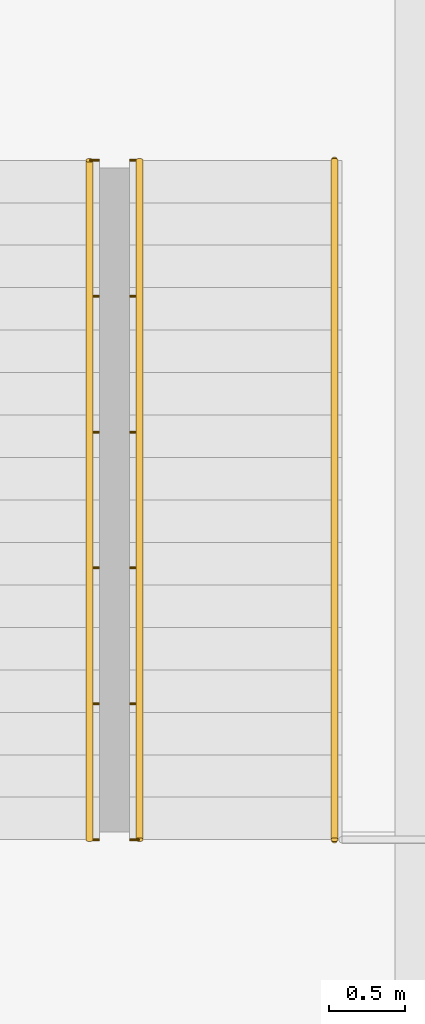
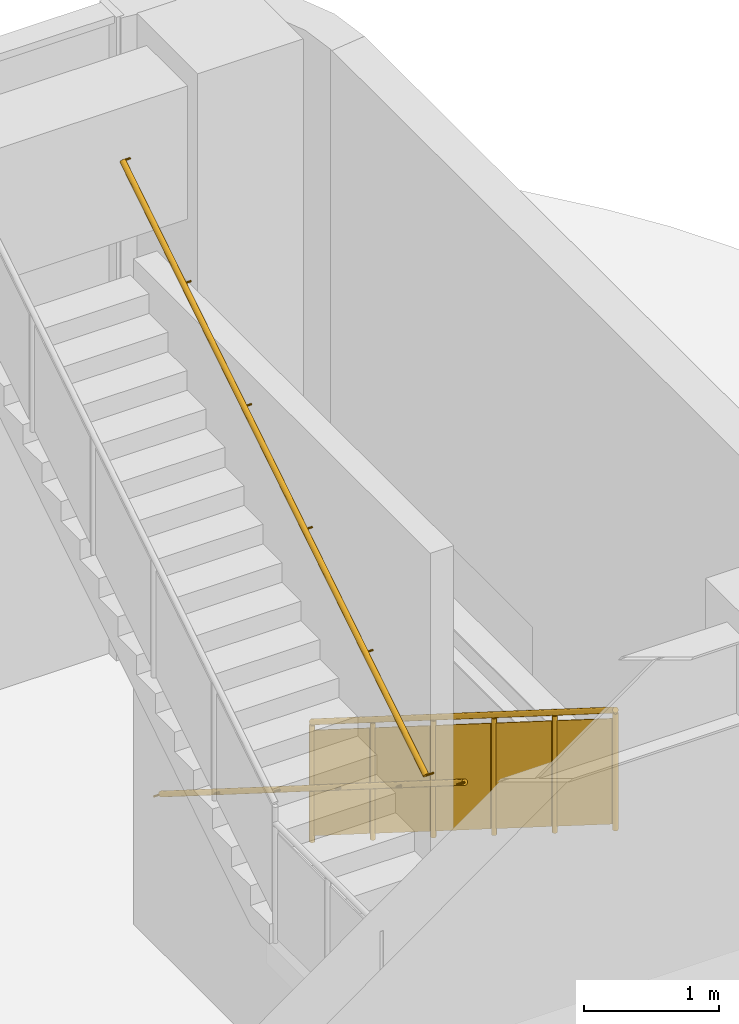
# One storey, part 21 of 21: 3 railings.
"""IFC4 building model written with IfcOpenShell, lengths in metres."""

from ifc_helpers import new_model, si_unit, direction, frame, origin, origin_2d, place, context, subcontext, project, spatial, polyline, circle, outline, extrude, material, type_object, element, save


model = new_model("IFC4")

# Units and contexts
model_context = context("Model", 3, precision=1e-05, world=origin(), true_north=direction((0.0, 1.0)))
body_context = subcontext(model_context, "Body", "Model", "MODEL_VIEW")
ifc_project = project(units=[si_unit("LENGTHUNIT", "METRE"), si_unit("AREAUNIT", "SQUARE_METRE"), si_unit("VOLUMEUNIT", "CUBIC_METRE"), si_unit("PLANEANGLEUNIT", "RADIAN"), si_unit("MASSUNIT", "GRAM", prefix="KILO")], contexts=[model_context])

# Site, building, storey
site_placement = place(None, origin())
site = spatial("IfcSite", under=ifc_project, at=site_placement, CompositionType="ELEMENT")
building_placement = place(site_placement, origin())
building = spatial("IfcBuilding", under=site, at=building_placement, Name="Torre Alcanfor", CompositionType="ELEMENT")
storey_placement = place(building_placement, origin())
storey = spatial("IfcBuildingStorey", under=building, at=storey_placement, Name="L00", CompositionType="ELEMENT", Elevation=0.0)

# Railings
ifc_material_1 = material(Name="Steel ASTM A500 Grade C hollow sections", Category="steel")
railing_type_1 = type_object("IfcRailingType", Name="Stair guard and handrail 1100", PredefinedType="GUARDRAIL", material=ifc_material_1)
railing_1_placement = place(storey_placement, frame((58.300048828125, 56.574951171875, 0.176513671875)))
element("IfcRailing", 1, at=railing_1_placement, inside=storey, type_object=railing_type_1, Name="Stair guard SS4 L00 flight 1", PredefinedType="GUARDRAIL", context=body_context, shape_type="SweptSolid", body=[
    extrude(circle(Radius=0.02392578125, at=origin_2d()), frame((0.0, 0.0, 1.076171875), z_axis=(0.0, -0.845997938375, 0.533186166611), x_axis=(1.0, 0.0, 0.0)), (0.0, 0.0, 1.0), 5.29541015625),
    extrude(circle(Radius=0.02099609375, at=origin_2d()), origin(), (0.0, 0.0, 1.0), 1.052001953125),
    extrude(circle(Radius=0.02099609375, at=origin_2d()), frame((0.0, -0.89599609375, 0.564697265625)), (0.0, 0.0, 1.0), 1.052001953125),
    extrude(circle(Radius=0.02099609375, at=origin_2d()), frame((0.0, -1.7919921875, 1.12939453125)), (0.0, 0.0, 1.0), 1.052001953125),
    extrude(circle(Radius=0.02099609375, at=origin_2d()), frame((0.0, -2.68798828125, 1.694091796875)), (0.0, 0.0, 1.0), 1.052001953125),
    extrude(circle(Radius=0.02099609375, at=origin_2d()), frame((0.0, -3.583984375, 2.2587890625)), (0.0, 0.0, 1.0), 1.052001953125),
    extrude(circle(Radius=0.02099609375, at=origin_2d()), frame((0.0, -4.47998046875, 2.823486328125)), (0.0, 0.0, 1.0), 1.052001953125),
    extrude(outline(polyline([(0.041015625, 0.075927734375), (0.85498046875, 0.5888671875), (0.85498046875, 1.540771484375), (0.041015625, 1.02783203125), (0.041015625, 0.075927734375)])), frame((0.005859375, 0.0, 0.0), z_axis=(-1.0, 0.0, 0.0), x_axis=(0.0, -1.0, 0.0)), (0.0, 0.0, 1.0), 0.011962890625),
    extrude(outline(polyline([(0.93701171875, 0.640625), (1.7509765625, 1.153564453125), (1.7509765625, 2.10546875), (0.93701171875, 1.592529296875), (0.93701171875, 0.640625)])), frame((0.005859375, 0.0, 0.0), z_axis=(-1.0, 0.0, 0.0), x_axis=(0.0, -1.0, 0.0)), (0.0, 0.0, 1.0), 0.011962890625),
    extrude(outline(polyline([(1.8330078125, 1.205322265625), (2.64697265625, 1.71826171875), (2.64697265625, 2.670166015625), (1.8330078125, 2.1572265625), (1.8330078125, 1.205322265625)])), frame((0.005859375, 0.0, 0.0), z_axis=(-1.0, 0.0, 0.0), x_axis=(0.0, -1.0, 0.0)), (0.0, 0.0, 1.0), 0.011962890625),
    extrude(outline(polyline([(2.72900390625, 1.77001953125), (3.54296875, 2.282958984375), (3.54296875, 3.23486328125), (2.72900390625, 2.721923828125), (2.72900390625, 1.77001953125)])), frame((0.005859375, 0.0, 0.0), z_axis=(-1.0, 0.0, 0.0), x_axis=(0.0, -1.0, 0.0)), (0.0, 0.0, 1.0), 0.011962890625),
    extrude(outline(polyline([(3.625, 2.334716796875), (4.43896484375, 2.84765625), (4.43896484375, 3.799560546875), (3.625, 3.28662109375), (3.625, 2.334716796875)])), frame((0.005859375, 0.0, 0.0), z_axis=(-1.0, 0.0, 0.0), x_axis=(0.0, -1.0, 0.0)), (0.0, 0.0, 1.0), 0.011962890625),
])
ifc_material_2 = material(Name="Steel ASTM A500 Grade C hollow sections", Category="steel")
railing_type_2 = type_object("IfcRailingType", Name="Stair wall handrail 900", PredefinedType="HANDRAIL", material=ifc_material_2)
railing_2_placement = place(storey_placement, frame((57.014892578125, 56.574951171875, 0.176513671875)))
element("IfcRailing", 2, at=railing_2_placement, inside=storey, type_object=railing_type_2, Name="Stair handrail SS4 L00 flight 1", PredefinedType="HANDRAIL", context=body_context, shape_type="SweptSolid", body=[
    extrude(circle(Radius=0.02392578125, at=origin_2d()), frame((0.0, 0.0, 0.8759765625), z_axis=(0.0, -0.845997938375, 0.533186166611), x_axis=(1.0, 0.0, 0.0)), (0.0, 0.0, 1.0), 5.29541015625),
    extrude(circle(Radius=0.008056640625, at=origin_2d()), frame((0.0, 0.0, 0.8759765625), z_axis=(-1.0, 0.0, 0.0), x_axis=(0.0, 0.0, 1.0)), (0.0, 0.0, 1.0), 0.06494140625),
    extrude(circle(Radius=0.008056640625, at=origin_2d()), frame((0.0, -0.89599609375, 1.4404296875), z_axis=(-1.0, 0.0, 0.0), x_axis=(0.0, 0.0, 1.0)), (0.0, 0.0, 1.0), 0.06494140625),
    extrude(circle(Radius=0.008056640625, at=origin_2d()), frame((0.0, -1.7919921875, 2.00537109375), z_axis=(-1.0, 0.0, 0.0), x_axis=(0.0, 0.0, 1.0)), (0.0, 0.0, 1.0), 0.06494140625),
    extrude(circle(Radius=0.008056640625, at=origin_2d()), frame((0.0, -2.68798828125, 2.56982421875), z_axis=(-1.0, 0.0, 0.0), x_axis=(0.0, 0.0, 1.0)), (0.0, 0.0, 1.0), 0.06494140625),
    extrude(circle(Radius=0.008056640625, at=origin_2d()), frame((0.0, -3.583984375, 3.134765625), z_axis=(-1.0, 0.0, 0.0), x_axis=(0.0, 0.0, 1.0)), (0.0, 0.0, 1.0), 0.06494140625),
    extrude(circle(Radius=0.008056640625, at=origin_2d()), frame((0.0, -4.47998046875, 3.69921875), z_axis=(-1.0, 0.0, 0.0), x_axis=(0.0, 0.0, 1.0)), (0.0, 0.0, 1.0), 0.06494140625),
])
railing_3_placement = place(storey_placement, frame((56.68505859375, 52.094970703125, 3.176513671875)))
element("IfcRailing", 3, at=railing_3_placement, inside=storey, type_object=railing_type_2, Name="Stair handrail SS4 L00 flight 2", PredefinedType="HANDRAIL", context=body_context, shape_type="SweptSolid", body=[
    extrude(circle(Radius=0.02392578125, at=origin_2d()), frame((0.0, 0.0, 0.8759765625), z_axis=(0.0, 0.845997938375, 0.533186166611), x_axis=(-1.0, 0.0, 0.0)), (0.0, 0.0, 1.0), 5.29541015625),
    extrude(circle(Radius=0.008056640625, at=origin_2d()), frame((0.0, 0.0, 0.8759765625), z_axis=(1.0, 0.0, 0.0), x_axis=(0.0, 0.0, 1.0)), (0.0, 0.0, 1.0), 0.06494140625),
    extrude(circle(Radius=0.008056640625, at=origin_2d()), frame((0.0, 0.89599609375, 1.4404296875), z_axis=(1.0, 0.0, 0.0), x_axis=(0.0, 0.0, 1.0)), (0.0, 0.0, 1.0), 0.06494140625),
    extrude(circle(Radius=0.008056640625, at=origin_2d()), frame((0.0, 1.7919921875, 2.00537109375), z_axis=(1.0, 0.0, 0.0), x_axis=(0.0, 0.0, 1.0)), (0.0, 0.0, 1.0), 0.06494140625),
    extrude(circle(Radius=0.008056640625, at=origin_2d()), frame((0.0, 2.68798828125, 2.56982421875), z_axis=(1.0, 0.0, 0.0), x_axis=(0.0, 0.0, 1.0)), (0.0, 0.0, 1.0), 0.06494140625),
    extrude(circle(Radius=0.008056640625, at=origin_2d()), frame((0.0, 3.583984375, 3.134765625), z_axis=(1.0, 0.0, 0.0), x_axis=(0.0, 0.0, 1.0)), (0.0, 0.0, 1.0), 0.06494140625),
    extrude(circle(Radius=0.008056640625, at=origin_2d()), frame((0.0, 4.47998046875, 3.69921875), z_axis=(1.0, 0.0, 0.0), x_axis=(0.0, 0.0, 1.0)), (0.0, 0.0, 1.0), 0.06494140625),
])

save(model, "model.ifc")
